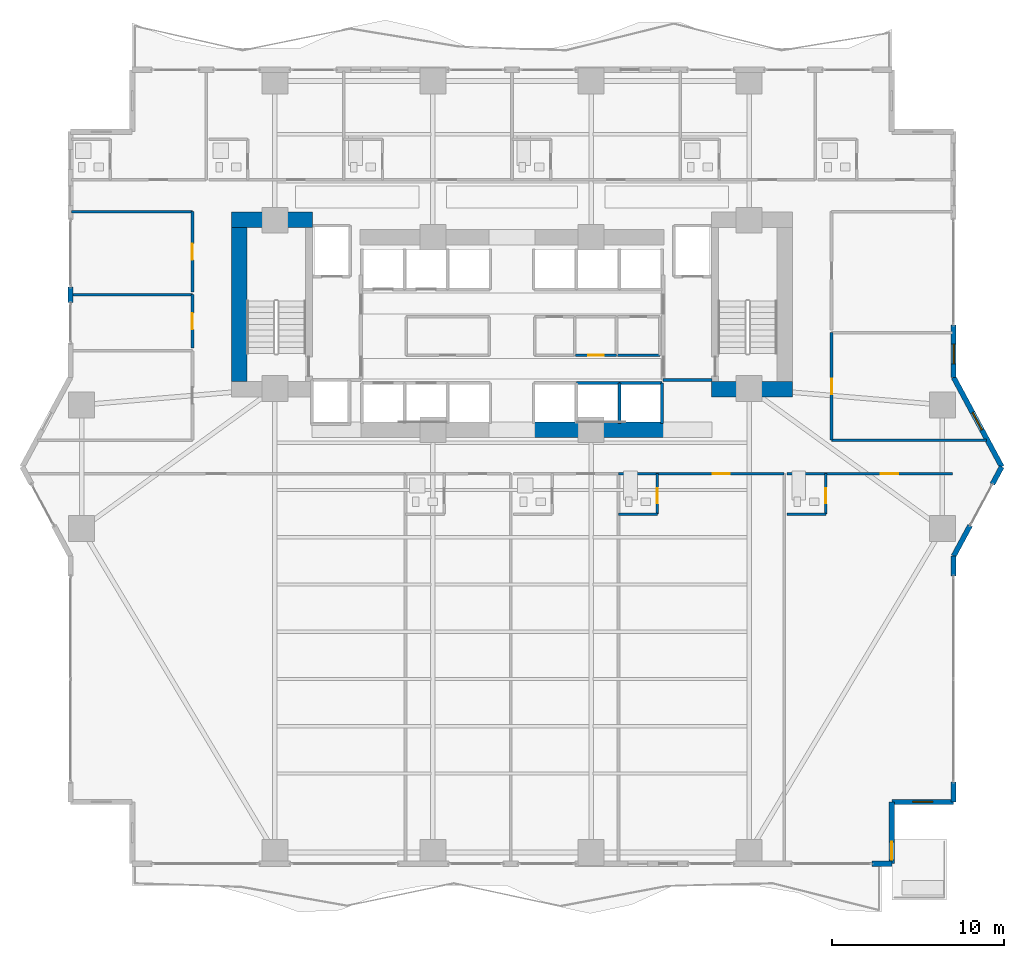
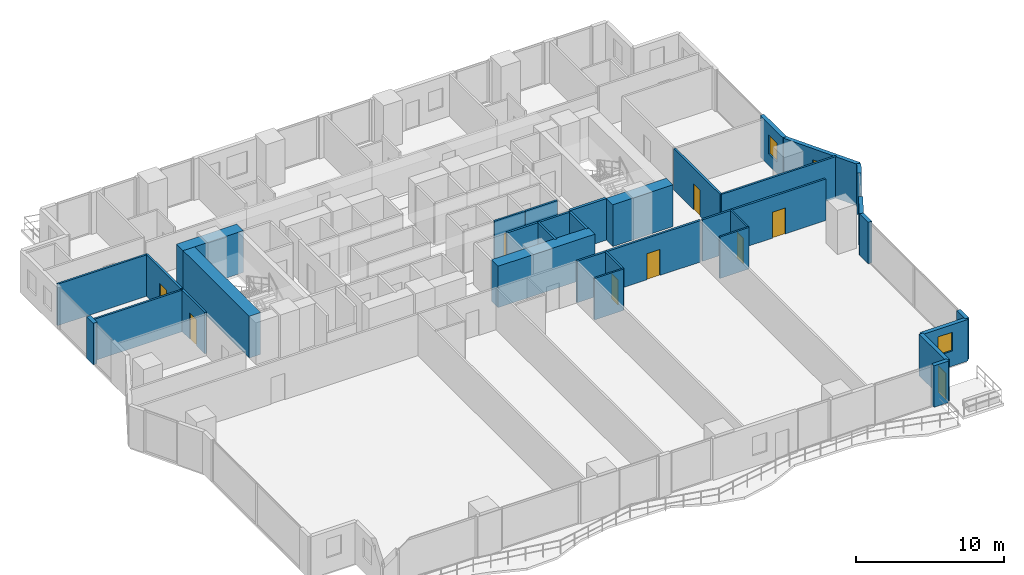
# One storey, part 20 of 30: 33 walls, 9 doors, 3 windows, 12 openings.
"""IFC4 building model written with IfcOpenShell, lengths in metres."""

from ifc_helpers import new_model, si_unit, direction, frame, frame_2d, origin, place, context, subcontext, project, spatial, rectangle, extrude, material, layer, layer_set, type_object, element, fill, save


model = new_model("IFC4")

# Units and contexts
model_context = context("Model", 3, precision=1e-05, world=origin(), true_north=direction((0.0, 1.0)))
body_context = subcontext(model_context, "Body", "Model", "MODEL_VIEW")
ifc_project = project(units=[si_unit("LENGTHUNIT", "METRE"), si_unit("AREAUNIT", "SQUARE_METRE"), si_unit("VOLUMEUNIT", "CUBIC_METRE"), si_unit("PLANEANGLEUNIT", "RADIAN"), si_unit("MASSUNIT", "GRAM", prefix="KILO")], contexts=[model_context])

# Site, building, storey
site_placement = place(None, origin())
site = spatial("IfcSite", under=ifc_project, at=site_placement, CompositionType="ELEMENT")
building_placement = place(site_placement, origin())
building = spatial("IfcBuilding", under=site, at=building_placement, Name="Zuhayl Quay Hotel", CompositionType="ELEMENT")
storey_placement = place(building_placement, frame((0.0, 0.0, 82.35009765625)))
storey = spatial("IfcBuildingStorey", under=building, at=storey_placement, Name="L20", CompositionType="ELEMENT", Elevation=82.35009765625)

# Walls
ifc_material_1 = material(Name="Concrete C70/85", Category="concrete")
ifc_layer_1 = layer(ifc_material_1, 0.89990234375, Name="Concrete C70/85", Category="concrete")
ifc_layer_set_1 = layer_set([ifc_layer_1], Name="Concrete C70/85")
wall_type_1 = type_object("IfcWallType", Name="WL_CORE_900", PredefinedType="SHEAR", material=ifc_layer_set_1)
wall_1_placement = place(storey_placement, frame((-16.31005859375, 14.3798828125, 0.0), z_axis=(0.0, 0.0, 1.0), x_axis=(1.0, 0.0, 0.0)))
element("IfcWall", 1, at=wall_1_placement, inside=storey, type_object=wall_type_1, Name="L20 Core Shear Wall CW_NW", PredefinedType="SHEAR", context=body_context, shape_type="SweptSolid", body=[
    extrude(rectangle(XDim=4.7099609375, YDim=0.89990234375, at=frame_2d((2.35498046875, 0.0))), origin(), (0.0, 0.0, 1.0), 3.4599609375),
])
wall_2_placement = place(storey_placement, frame((-15.860107421875, 4.969970703125, 0.0), z_axis=(0.0, 0.0, 1.0), x_axis=(0.0, 1.0, 0.0)))
element("IfcWall", 2, at=wall_2_placement, inside=storey, type_object=wall_type_1, Name="L20 Core Shear Wall CW_W", PredefinedType="SHEAR", context=body_context, shape_type="SweptSolid", body=[
    extrude(rectangle(XDim=8.9599609375, YDim=0.89990234375, at=frame_2d((4.47998046875, 0.0))), origin(), (0.0, 0.0, 1.0), 3.4599609375),
])
wall_3_placement = place(storey_placement, frame((11.60009765625, 4.52001953125, 0.0), z_axis=(0.0, 0.0, 1.0), x_axis=(1.0, 0.0, 0.0)))
element("IfcWall", 3, at=wall_3_placement, inside=storey, type_object=wall_type_1, Name="L20 Core Shear Wall CW_SE", PredefinedType="SHEAR", context=body_context, shape_type="SweptSolid", body=[
    extrude(rectangle(XDim=4.7099609375, YDim=0.89990234375, at=frame_2d((2.35498046875, 0.0))), origin(), (0.0, 0.0, 1.0), 3.4599609375),
])
wall_4_placement = place(storey_placement, frame((1.25, 2.14990234375, 0.0), z_axis=(0.0, 0.0, 1.0), x_axis=(1.0, 0.0, 0.0)))
element("IfcWall", 4, at=wall_4_placement, inside=storey, type_object=wall_type_1, Name="L20 Core Shear Wall CW_SC_E", PredefinedType="SHEAR", context=body_context, shape_type="SweptSolid", body=[
    extrude(rectangle(XDim=7.60009765625, YDim=0.89990234375, at=frame_2d((3.800048828125, 0.0))), origin(), (0.0, 0.0, 1.0), 3.429931640625),
])
ifc_material_2 = material(Name="Precast concrete C45/55", Category="concrete")
ifc_layer_2 = layer(ifc_material_2, 0.300048828125, Name="Precast concrete C45/55", Category="concrete")
ifc_layer_set_2 = layer_set([ifc_layer_2], Name="Precast concrete C45/55")
wall_type_2 = type_object("IfcWallType", Name="WL_EXT_300", PredefinedType="STANDARD", material=ifc_layer_set_2)
wall_5_placement = place(storey_placement, frame((-25.699951171875, 9.570068359375, 0.0), z_axis=(0.0, 0.0, 1.0), x_axis=(0.0, 1.0, 0.0)))
element("IfcWall", 5, at=wall_5_placement, inside=storey, type_object=wall_type_2, Name="L20 Exterior Precast Wall ENV_L20_E05_EW2", PredefinedType="STANDARD", context=body_context, shape_type="SweptSolid", body=[
    extrude(rectangle(XDim=0.89990234375, YDim=0.300048828125, at=frame_2d((0.449951171875, 0.0))), origin(), (0.0, 0.0, 1.0), 3.429931640625),
])

# Wall, opening, window
wall_6_placement = place(storey_placement, frame((25.699951171875, 8.25, 0.0), z_axis=(0.0, 0.0, 1.0), x_axis=(0.0, -1.0, 0.0)))
wall_6 = element("IfcWall", 6, at=wall_6_placement, inside=storey, type_object=wall_type_2, Name="L20 Exterior Precast Wall ENV_L20_E11_EW2", PredefinedType="STANDARD", context=body_context, shape_type="SweptSolid", body=[
    extrude(rectangle(XDim=3.050048828125, YDim=0.300048828125, at=frame_2d((1.52490234375, 0.0))), origin(), (0.0, 0.0, 1.0), 3.429931640625),
])
opening_1_placement = place(wall_6_placement, frame((1.114990234375, 0.0, 0.949951171875)))
opening_1 = element("IfcOpeningElement", 7, at=opening_1_placement, cuts=wall_6, Name="Opening W01N", PredefinedType="OPENING", context=body_context, shape_type="SweptSolid", body=[
    extrude(rectangle(XDim=1.14990234375, YDim=1.550048828125, at=frame_2d((0.574951171875, 0.77490234375))), frame((0.0, 0.159912109375, 0.0), z_axis=(0.0, -1.0, 0.0), x_axis=(1.0, 0.0, 0.0)), (0.0, 0.0, 1.0), 0.320068359375),
])
ifc_material_3 = material(Name="Dark Ceramic-Fritted Solar Glass", Category="glass")
window_type = type_object("IfcWindowType", Name="WN_NOTCH_1350", PartitioningType="SINGLE_PANEL", PredefinedType="WINDOW", material=ifc_material_3)
window_1_placement = place(opening_1_placement, origin())
window_1 = element("IfcWindow", 8, at=window_1_placement, inside=storey, type_object=window_type, Name="L20 Operable Facade Window 2-1", OverallHeight=1.550048828125, OverallWidth=1.14990234375, PartitioningType="SINGLE_PANEL", PredefinedType="WINDOW", context=body_context, shape_type="SweptSolid", body=[
    extrude(rectangle(XDim=1.14990234375, YDim=1.550048828125, at=frame_2d((0.574951171875, 0.77490234375))), frame((0.0, 0.030029296875, 0.0), z_axis=(0.0, -1.0, 0.0), x_axis=(1.0, 0.0, 0.0)), (0.0, 0.0, 1.0), 0.06005859375),
])
fill(opening_1, window_1)

wall_7_placement = place(storey_placement, frame((25.699951171875, 5.199951171875, 0.0), z_axis=(0.0, 0.0, 1.0), x_axis=(0.474109683532, -0.880465790352, 0.0)))
wall_7 = element("IfcWall", 9, at=wall_7_placement, inside=storey, type_object=wall_type_2, Name="L20 Exterior Precast Wall ENV_L20_E12_EW1", PredefinedType="STANDARD", context=body_context, shape_type="SweptSolid", body=[
    extrude(rectangle(XDim=5.906005859375, YDim=0.300048828125, at=frame_2d((2.953125, 0.0))), origin(), (0.0, 0.0, 1.0), 3.429931640625),
])
opening_2_placement = place(wall_7_placement, frame((2.32373046875, 0.0, 0.949951171875)))
opening_2 = element("IfcOpeningElement", 10, at=opening_2_placement, cuts=wall_7, Name="Opening W01N", PredefinedType="OPENING", context=body_context, shape_type="SweptSolid", body=[
    extrude(rectangle(XDim=1.14990234375, YDim=1.550048828125, at=frame_2d((0.574951171875, 0.77490234375))), frame((0.0, 0.159912109375, 0.0), z_axis=(0.0, -1.0, 0.0), x_axis=(1.0, 0.0, 0.0)), (0.0, 0.0, 1.0), 0.320068359375),
])
window_2_placement = place(opening_2_placement, origin())
window_2 = element("IfcWindow", 11, at=window_2_placement, inside=storey, type_object=window_type, Name="L20 Operable Facade Window 1-1", OverallHeight=1.550048828125, OverallWidth=1.14990234375, PartitioningType="SINGLE_PANEL", PredefinedType="WINDOW", context=body_context, shape_type="SweptSolid", body=[
    extrude(rectangle(XDim=1.14990234375, YDim=1.550048828125, at=frame_2d((0.574951171875, 0.77490234375))), frame((0.0, 0.030029296875, 0.0), z_axis=(0.0, -1.0, 0.0), x_axis=(1.0, 0.0, 0.0)), (0.0, 0.0, 1.0), 0.06005859375),
])
fill(opening_2, window_2)

# Walls
wall_8_placement = place(storey_placement, frame((28.5, 0.0, 0.0), z_axis=(0.0, 0.0, 1.0), x_axis=(-0.474099823035, -0.880471099922, 0.0)))
element("IfcWall", 12, at=wall_8_placement, inside=storey, type_object=wall_type_2, Name="L20 Exterior Precast Wall ENV_L20_E13_EW1", PredefinedType="STANDARD", context=body_context, shape_type="SweptSolid", body=[
    extrude(rectangle(XDim=1.14990234375, YDim=0.300048828125, at=frame_2d((0.574951171875, 0.0))), origin(), (0.0, 0.0, 1.0), 3.429931640625),
])
wall_9_placement = place(storey_placement, frame((26.657958984375, -3.4208984375, 0.0), z_axis=(0.0, 0.0, 1.0), x_axis=(-0.474121438562, -0.88045946045, 0.0)))
element("IfcWall", 13, at=wall_9_placement, inside=storey, type_object=wall_type_2, Name="L20 Exterior Precast Wall ENV_L20_E13_EW2", PredefinedType="STANDARD", context=body_context, shape_type="SweptSolid", body=[
    extrude(rectangle(XDim=2.0205078125, YDim=0.300048828125, at=frame_2d((1.01025390625, 0.0))), origin(), (0.0, 0.0, 1.0), 3.429931640625),
])
wall_10_placement = place(storey_placement, frame((25.699951171875, -5.199951171875, 0.0), z_axis=(0.0, 0.0, 1.0), x_axis=(0.0, -1.0, 0.0)))
element("IfcWall", 14, at=wall_10_placement, inside=storey, type_object=wall_type_2, Name="L20 Exterior Precast Wall ENV_L20_E14_EW1", PredefinedType="STANDARD", context=body_context, shape_type="SweptSolid", body=[
    extrude(rectangle(XDim=1.150146484375, YDim=0.300048828125, at=frame_2d((0.5751953125, 0.0))), origin(), (0.0, 0.0, 1.0), 3.429931640625),
])
wall_11_placement = place(storey_placement, frame((25.699951171875, -18.35009765625, 0.0), z_axis=(0.0, 0.0, 1.0), x_axis=(0.0, -1.0, 0.0)))
element("IfcWall", 15, at=wall_11_placement, inside=storey, type_object=wall_type_2, Name="L20 Exterior Precast Wall ENV_L20_E14_EW2", PredefinedType="STANDARD", context=body_context, shape_type="SweptSolid", body=[
    extrude(rectangle(XDim=1.14990234375, YDim=0.300048828125, at=frame_2d((0.574951171875, 0.0))), origin(), (0.0, 0.0, 1.0), 3.429931640625),
])

# Wall, opening, window
wall_12_placement = place(storey_placement, frame((25.699951171875, -19.5, 0.0), z_axis=(0.0, 0.0, 1.0), x_axis=(-1.0, 0.0, 0.0)))
wall_12 = element("IfcWall", 16, at=wall_12_placement, inside=storey, type_object=wall_type_2, Name="L20 Exterior Precast Wall ENV_L20_EW15", PredefinedType="STANDARD", context=body_context, shape_type="SweptSolid", body=[
    extrude(rectangle(XDim=3.599853515625, YDim=0.300048828125, at=frame_2d((1.7998046875, 0.0))), origin(), (0.0, 0.0, 1.0), 3.429931640625),
])
opening_3_placement = place(wall_12_placement, frame((1.22509765625, 0.0, 1.25)))
opening_3 = element("IfcOpeningElement", 17, at=opening_3_placement, cuts=wall_12, Name="Opening W01N", PredefinedType="OPENING", context=body_context, shape_type="SweptSolid", body=[
    extrude(rectangle(XDim=1.14990234375, YDim=1.550048828125, at=frame_2d((0.574951171875, 0.77490234375))), frame((0.0, 0.159912109375, 0.0), z_axis=(0.0, -1.0, 0.0), x_axis=(1.0, 0.0, 0.0)), (0.0, 0.0, 1.0), 0.320068359375),
])
window_3_placement = place(opening_3_placement, origin())
window_3 = element("IfcWindow", 18, at=window_3_placement, inside=storey, type_object=window_type, Name="L20 Corner Notch Window 15", OverallHeight=1.550048828125, OverallWidth=1.14990234375, PartitioningType="SINGLE_PANEL", PredefinedType="WINDOW", context=body_context, shape_type="SweptSolid", body=[
    extrude(rectangle(XDim=1.14990234375, YDim=1.550048828125, at=frame_2d((0.574951171875, 0.77490234375))), frame((0.0, 0.030029296875, 0.0), z_axis=(0.0, -1.0, 0.0), x_axis=(1.0, 0.0, 0.0)), (0.0, 0.0, 1.0), 0.06005859375),
])
fill(opening_3, window_3)

# Wall, opening, door
wall_13_placement = place(storey_placement, frame((22.10009765625, -19.5, 0.0), z_axis=(0.0, 0.0, 1.0), x_axis=(0.0, -1.0, 0.0)))
wall_13 = element("IfcWall", 19, at=wall_13_placement, inside=storey, type_object=wall_type_2, Name="L20 Exterior Precast Wall ENV_L20_SP_SE", PredefinedType="STANDARD", context=body_context, shape_type="SweptSolid", body=[
    extrude(rectangle(XDim=3.60009765625, YDim=0.300048828125, at=frame_2d((1.800048828125, 0.0))), origin(), (0.0, 0.0, 1.0), 3.429931640625),
])
opening_4_placement = place(wall_13_placement, frame((2.330078125, 0.0, 0.0)))
opening_4 = element("IfcOpeningElement", 20, at=opening_4_placement, cuts=wall_13, Name="Opening DG1", PredefinedType="OPENING", context=body_context, shape_type="SweptSolid", body=[
    extrude(rectangle(XDim=1.050048828125, YDim=2.199951171875, at=frame_2d((0.52490234375, 1.10009765625))), frame((0.0, 0.159912109375, 0.0), z_axis=(0.0, -1.0, 0.0), x_axis=(1.0, 0.0, 0.0)), (0.0, 0.0, 1.0), 0.320068359375),
])
ifc_material_4 = material(Name="Anodised Aluminium and Dark Solar Glass", Category="aluminium")
door_type_1 = type_object("IfcDoorType", Name="DR_EXT_TERR_1050", OperationType="NOTDEFINED", PredefinedType="DOOR", material=ifc_material_4)
door_1_placement = place(opening_4_placement, origin())
door_1 = element("IfcDoor", 21, at=door_1_placement, inside=storey, type_object=door_type_1, Name="L20 Spiral Sky-Terrace SE Access Door", OperationType="SINGLE_SWING_LEFT", OverallHeight=2.199951171875, OverallWidth=1.050048828125, PredefinedType="DOOR", context=body_context, shape_type="SweptSolid", body=[
    extrude(rectangle(XDim=1.050048828125, YDim=2.199951171875, at=frame_2d((0.52490234375, 1.10009765625))), frame((0.0, 0.02490234375, 0.0), z_axis=(0.0, -1.0, 0.0), x_axis=(1.0, 0.0, 0.0)), (0.0, 0.0, 1.0), 0.050048828125),
])
fill(opening_4, door_1)

# Wall
wall_14_placement = place(storey_placement, frame((22.10009765625, -23.10009765625, 0.0), z_axis=(0.0, 0.0, 1.0), x_axis=(-1.0, 0.0, 0.0)))
element("IfcWall", 22, at=wall_14_placement, inside=storey, type_object=wall_type_2, Name="L20 Exterior Precast Wall ENV_L20_S_EW1", PredefinedType="STANDARD", context=body_context, shape_type="SweptSolid", body=[
    extrude(rectangle(XDim=1.150146484375, YDim=0.300048828125, at=frame_2d((0.5751953125, 0.0))), origin(), (0.0, 0.0, 1.0), 3.429931640625),
])

# Wall, opening, door
ifc_material_5 = material(Name="Acoustic Gypsum Partition STC-58")
ifc_layer_3 = layer(ifc_material_5, 0.14990234375, Name="Acoustic Gypsum Partition STC-58")
ifc_layer_set_3 = layer_set([ifc_layer_3], Name="Acoustic Gypsum Partition STC-58")
wall_type_3 = type_object("IfcWallType", Name="WL_PART_150", PredefinedType="PARTITIONING", material=ifc_layer_set_3)
wall_15_placement = place(storey_placement, frame((3.699951171875, 6.47998046875, 0.0), z_axis=(0.0, 0.0, 1.0), x_axis=(1.0, 0.0, 0.0)))
wall_15 = element("IfcWall", 23, at=wall_15_placement, inside=storey, type_object=wall_type_3, Name="L20 Partition IW_L20_CORE_E2_S", PredefinedType="PARTITIONING", context=body_context, shape_type="SweptSolid", body=[
    extrude(rectangle(XDim=2.380126953125, YDim=0.14990234375, at=frame_2d((1.18994140625, 0.0))), origin(), (0.0, 0.0, 1.0), 3.429931640625),
])
opening_5_placement = place(wall_15_placement, frame((0.739990234375, 0.0, 0.0)))
opening_5 = element("IfcOpeningElement", 24, at=opening_5_placement, cuts=wall_15, Name="Opening D06", PredefinedType="OPENING", context=body_context, shape_type="SweptSolid", body=[
    extrude(rectangle(XDim=0.89990234375, YDim=2.14990234375, at=frame_2d((0.449951171875, 1.074951171875))), frame((0.0, 0.0849609375, 0.0), z_axis=(0.0, -1.0, 0.0), x_axis=(1.0, 0.0, 0.0)), (0.0, 0.0, 1.0), 0.169921875),
])
ifc_material_6 = material(Name="Steel ASTM A992 Grade 50", Category="steel")
door_type_2 = type_object("IfcDoorType", Name="DR_INT_900", OperationType="NOTDEFINED", PredefinedType="DOOR", material=ifc_material_6)
door_2_placement = place(opening_5_placement, origin())
door_2 = element("IfcDoor", 25, at=door_2_placement, inside=storey, type_object=door_type_2, Name="L20 Data Closet Door", OperationType="SINGLE_SWING_LEFT", OverallHeight=2.14990234375, OverallWidth=0.89990234375, PredefinedType="DOOR", context=body_context, shape_type="SweptSolid", body=[
    extrude(rectangle(XDim=0.89990234375, YDim=2.14990234375, at=frame_2d((0.449951171875, 1.074951171875))), frame((0.0, 0.02490234375, 0.0), z_axis=(0.0, -1.0, 0.0), x_axis=(1.0, 0.0, 0.0)), (0.0, 0.0, 1.0), 0.050048828125),
])
fill(opening_5, door_2)

# Walls
wall_16_placement = place(storey_placement, frame((6.139892578125, 6.47998046875, 0.0), z_axis=(0.0, 0.0, 1.0), x_axis=(1.0, 0.0, 0.0)))
element("IfcWall", 26, at=wall_16_placement, inside=storey, type_object=wall_type_3, Name="L20 Partition IW_L20_CORE_E3_S", PredefinedType="PARTITIONING", context=body_context, shape_type="SweptSolid", body=[
    extrude(rectangle(XDim=2.47021484375, YDim=0.14990234375, at=frame_2d((1.235107421875, 0.0))), origin(), (0.0, 0.0, 1.0), 3.429931640625),
])
wall_17_placement = place(storey_placement, frame((18.60009765625, 1.550048828125, 0.0), z_axis=(0.0, 0.0, 1.0), x_axis=(1.0, 0.0, 0.0)))
element("IfcWall", 27, at=wall_17_placement, inside=storey, type_object=wall_type_3, Name="L20 Partition IW_L20_HK_MAIN_S", PredefinedType="PARTITIONING", context=body_context, shape_type="SweptSolid", body=[
    extrude(rectangle(XDim=9.00537109375, YDim=0.14990234375, at=frame_2d((4.502685546875, 0.0))), origin(), (0.0, 0.0, 1.0), 3.429931640625),
])
for number, where, z_axis, x_axis, name in (
    (28, (-25.639892578125, 10.02001953125, 0.0), (0.0, 0.0, 1.0), (1.0, 0.0, 0.0), "L20 Partition IW_L20_WPROW_2_N"),
    (29, (-25.639892578125, 14.85009765625, 0.0), (0.0, 0.0, 1.0), (1.0, 0.0, 0.0), "L20 Partition IW_L20_WPROW_3_N"),
):
    element("IfcWall", number, at=place(storey_placement, frame(where, z_axis=z_axis, x_axis=x_axis)), inside=storey, type_object=wall_type_3, Name=name, PredefinedType="PARTITIONING", context=body_context, shape_type="SweptSolid", body=[
        extrude(rectangle(XDim=7.039794921875, YDim=0.14990234375, at=frame_2d((3.52001953125, 0.0))), origin(), (0.0, 0.0, 1.0), 3.429931640625),
    ])

# Wall, opening, door
ifc_layer_4 = layer(ifc_material_5, 0.159912109375, Name="Acoustic Gypsum Partition STC-58")
ifc_layer_set_4 = layer_set([ifc_layer_4], Name="Acoustic Gypsum Partition STC-58")
wall_type_4 = type_object("IfcWallType", Name="WL_PART_CORR_160", PredefinedType="PARTITIONING", material=ifc_layer_set_4)
wall_18_placement = place(storey_placement, frame((6.199951171875, -0.39990234375, 0.0), z_axis=(0.0, 0.0, 1.0), x_axis=(1.0, 0.0, 0.0)))
wall_18 = element("IfcWall", 30, at=wall_18_placement, inside=storey, type_object=wall_type_4, Name="L20 Partition IW_L20_SU03A_COR", PredefinedType="PARTITIONING", context=body_context, shape_type="SweptSolid", body=[
    extrude(rectangle(XDim=9.64013671875, YDim=0.159912109375, at=frame_2d((4.820068359375, 0.0))), origin(), (0.0, 0.0, 1.0), 3.429931640625),
])
opening_6_placement = place(wall_18_placement, frame((5.469970703125, 0.0, 0.0)))
opening_6 = element("IfcOpeningElement", 31, at=opening_6_placement, cuts=wall_18, Name="Opening D03L", PredefinedType="OPENING", context=body_context, shape_type="SweptSolid", body=[
    extrude(rectangle(XDim=1.0, YDim=2.14990234375, at=frame_2d((0.5, 1.074951171875))), frame((0.0, 0.08984375, 0.0), z_axis=(0.0, -1.0, 0.0), x_axis=(1.0, 0.0, 0.0)), (0.0, 0.0, 1.0), 0.179931640625),
])
ifc_material_7 = material(Name="Solid Walnut Acoustic Fire Door")
door_type_3 = type_object("IfcDoorType", Name="DR_SUITE_1000", OperationType="NOTDEFINED", PredefinedType="DOOR", material=ifc_material_7)
door_3_placement = place(opening_6_placement, origin())
door_3 = element("IfcDoor", 32, at=door_3_placement, inside=storey, type_object=door_type_3, Name="L20 City-View Junior Suite L20-03A Entrance Door", OperationType="SINGLE_SWING_LEFT", OverallHeight=2.14990234375, OverallWidth=1.0, PredefinedType="DOOR", context=body_context, shape_type="SweptSolid", body=[
    extrude(rectangle(XDim=1.0, YDim=2.14990234375, at=frame_2d((0.5, 1.074951171875))), frame((0.0, 0.02490234375, 0.0), z_axis=(0.0, -1.0, 0.0), x_axis=(1.0, 0.0, 0.0)), (0.0, 0.0, 1.0), 0.050048828125),
])
fill(opening_6, door_3)

wall_19_placement = place(storey_placement, frame((16.0, -0.39990234375, 0.0), z_axis=(0.0, 0.0, 1.0), x_axis=(1.0, 0.0, 0.0)))
wall_19 = element("IfcWall", 33, at=wall_19_placement, inside=storey, type_object=wall_type_4, Name="L20 Partition IW_L20_SU03B_COR", PredefinedType="PARTITIONING", context=body_context, shape_type="SweptSolid", body=[
    extrude(rectangle(XDim=9.639892578125, YDim=0.159912109375, at=frame_2d((4.81982421875, 0.0))), origin(), (0.0, 0.0, 1.0), 3.429931640625),
])
opening_7_placement = place(wall_19_placement, frame((5.469970703125, 0.0, 0.0)))
opening_7 = element("IfcOpeningElement", 34, at=opening_7_placement, cuts=wall_19, Name="Opening D03L", PredefinedType="OPENING", context=body_context, shape_type="SweptSolid", body=[
    extrude(rectangle(XDim=1.0, YDim=2.14990234375, at=frame_2d((0.5, 1.074951171875))), frame((0.0, 0.08984375, 0.0), z_axis=(0.0, -1.0, 0.0), x_axis=(1.0, 0.0, 0.0)), (0.0, 0.0, 1.0), 0.179931640625),
])
door_4_placement = place(opening_7_placement, origin())
door_4 = element("IfcDoor", 35, at=door_4_placement, inside=storey, type_object=door_type_3, Name="L20 City-View Junior Suite L20-03B Entrance Door", OperationType="SINGLE_SWING_LEFT", OverallHeight=2.14990234375, OverallWidth=1.0, PredefinedType="DOOR", context=body_context, shape_type="SweptSolid", body=[
    extrude(rectangle(XDim=1.0, YDim=2.14990234375, at=frame_2d((0.5, 1.074951171875))), frame((0.0, 0.02490234375, 0.0), z_axis=(0.0, -1.0, 0.0), x_axis=(1.0, 0.0, 0.0)), (0.0, 0.0, 1.0), 0.050048828125),
])
fill(opening_7, door_4)

wall_20_placement = place(storey_placement, frame((18.60009765625, 1.550048828125, 0.0), z_axis=(0.0, 0.0, 1.0), x_axis=(0.0, 1.0, 0.0)))
wall_20 = element("IfcWall", 36, at=wall_20_placement, inside=storey, type_object=wall_type_4, Name="L20 Partition IW_L20_HK_MAIN_W", PredefinedType="PARTITIONING", context=body_context, shape_type="SweptSolid", body=[
    extrude(rectangle(XDim=6.25, YDim=0.159912109375, at=frame_2d((3.125, 0.0))), origin(), (0.0, 0.0, 1.0), 3.429931640625),
])
opening_8_placement = place(wall_20_placement, frame((2.6650390625, 0.0, 0.0)))
opening_8 = element("IfcOpeningElement", 37, at=opening_8_placement, cuts=wall_20, Name="Opening D05", PredefinedType="OPENING", context=body_context, shape_type="SweptSolid", body=[
    extrude(rectangle(XDim=0.919921875, YDim=2.1201171875, at=frame_2d((0.4599609375, 1.06005859375))), frame((0.0, 0.08984375, 0.0), z_axis=(0.0, -1.0, 0.0), x_axis=(1.0, 0.0, 0.0)), (0.0, 0.0, 1.0), 0.179931640625),
])
door_type_4 = type_object("IfcDoorType", Name="DR_INT_950", OperationType="NOTDEFINED", PredefinedType="DOOR", material=ifc_material_7)
door_5_placement = place(opening_8_placement, origin())
door_5 = element("IfcDoor", 38, at=door_5_placement, inside=storey, type_object=door_type_4, Name="L20 Housekeeping and Linen Room Door", OperationType="SINGLE_SWING_RIGHT", OverallHeight=2.1201171875, OverallWidth=0.919921875, PredefinedType="DOOR", context=body_context, shape_type="SweptSolid", body=[
    extrude(rectangle(XDim=0.919921875, YDim=2.1201171875, at=frame_2d((0.4599609375, 1.06005859375))), frame((0.0, 0.02490234375, 0.0), z_axis=(0.0, -1.0, 0.0), x_axis=(1.0, 0.0, 0.0)), (0.0, 0.0, 1.0), 0.050048828125),
])
fill(opening_8, door_5)

wall_21_placement = place(storey_placement, frame((-18.60009765625, 6.909912109375, 0.0), z_axis=(0.0, 0.0, 1.0), x_axis=(0.0, 1.0, 0.0)))
wall_21 = element("IfcWall", 39, at=wall_21_placement, inside=storey, type_object=wall_type_4, Name="L20 Partition IW_L20_WPROW_2_E", PredefinedType="PARTITIONING", context=body_context, shape_type="SweptSolid", body=[
    extrude(rectangle(XDim=3.110107421875, YDim=0.159912109375, at=frame_2d((1.55517578125, 0.0))), origin(), (0.0, 0.0, 1.0), 3.429931640625),
])
opening_9_placement = place(wall_21_placement, frame((1.080078125, 0.0, 0.0)))
opening_9 = element("IfcOpeningElement", 40, at=opening_9_placement, cuts=wall_21, Name="Opening D03", PredefinedType="OPENING", context=body_context, shape_type="SweptSolid", body=[
    extrude(rectangle(XDim=0.949951171875, YDim=2.14990234375, at=frame_2d((0.47509765625, 1.074951171875))), frame((0.0, 0.08984375, 0.0), z_axis=(0.0, -1.0, 0.0), x_axis=(1.0, 0.0, 0.0)), (0.0, 0.0, 1.0), 0.179931640625),
])
door_type_5 = type_object("IfcDoorType", Name="DR_SUITE_950", OperationType="NOTDEFINED", PredefinedType="DOOR", material=ifc_material_7)
door_6_placement = place(opening_9_placement, origin())
door_6 = element("IfcDoor", 41, at=door_6_placement, inside=storey, type_object=door_type_5, Name="L20 Sunset Tea Salon L20 Door", OperationType="SINGLE_SWING_LEFT", OverallHeight=2.14990234375, OverallWidth=0.949951171875, PredefinedType="DOOR", context=body_context, shape_type="SweptSolid", body=[
    extrude(rectangle(XDim=0.949951171875, YDim=2.14990234375, at=frame_2d((0.47509765625, 1.074951171875))), frame((0.0, 0.02490234375, 0.0), z_axis=(0.0, -1.0, 0.0), x_axis=(1.0, 0.0, 0.0)), (0.0, 0.0, 1.0), 0.050048828125),
])
fill(opening_9, door_6)

wall_22_placement = place(storey_placement, frame((-18.60009765625, 10.179931640625, 0.0), z_axis=(0.0, 0.0, 1.0), x_axis=(0.0, 1.0, 0.0)))
wall_22 = element("IfcWall", 42, at=wall_22_placement, inside=storey, type_object=wall_type_4, Name="L20 Partition IW_L20_WPROW_3_E", PredefinedType="PARTITIONING", context=body_context, shape_type="SweptSolid", body=[
    extrude(rectangle(XDim=4.670166015625, YDim=0.159912109375, at=frame_2d((2.3349609375, 0.0))), origin(), (0.0, 0.0, 1.0), 3.429931640625),
])
opening_10_placement = place(wall_22_placement, frame((1.860107421875, 0.0, 0.0)))
opening_10 = element("IfcOpeningElement", 43, at=opening_10_placement, cuts=wall_22, Name="Opening D03", PredefinedType="OPENING", context=body_context, shape_type="SweptSolid", body=[
    extrude(rectangle(XDim=0.949951171875, YDim=2.14990234375, at=frame_2d((0.47509765625, 1.074951171875))), frame((0.0, 0.08984375, 0.0), z_axis=(0.0, -1.0, 0.0), x_axis=(1.0, 0.0, 0.0)), (0.0, 0.0, 1.0), 0.179931640625),
])
door_7_placement = place(opening_10_placement, origin())
door_7 = element("IfcDoor", 44, at=door_7_placement, inside=storey, type_object=door_type_5, Name="L20 West Horizon Salon L20 Door", OperationType="SINGLE_SWING_RIGHT", OverallHeight=2.14990234375, OverallWidth=0.949951171875, PredefinedType="DOOR", context=body_context, shape_type="SweptSolid", body=[
    extrude(rectangle(XDim=0.949951171875, YDim=2.14990234375, at=frame_2d((0.47509765625, 1.074951171875))), frame((0.0, 0.02490234375, 0.0), z_axis=(0.0, -1.0, 0.0), x_axis=(1.0, 0.0, 0.0)), (0.0, 0.0, 1.0), 0.050048828125),
])
fill(opening_10, door_7)

ifc_material_8 = material(Name="Moisture-Resistant Sanitarychase Gypsum")
ifc_layer_5 = layer(ifc_material_8, 0.135009765625, Name="Moisture-Resistant Sanitarychase Gypsum")
ifc_layer_set_5 = layer_set([ifc_layer_5], Name="Moisture-Resistant Sanitarychase Gypsum")
wall_type_5 = type_object("IfcWallType", Name="WL_PART_PLUMB_150", PredefinedType="PLUMBINGWALL", material=ifc_layer_set_5)
wall_23_placement = place(storey_placement, frame((8.4599609375, -2.760009765625, 0.0), z_axis=(0.0, 0.0, 1.0), x_axis=(0.0, 1.0, 0.0)))
wall_23 = element("IfcWall", 45, at=wall_23_placement, inside=storey, type_object=wall_type_5, Name="L20 Partition IW_L20_SU03A_BE", PredefinedType="PLUMBINGWALL", context=body_context, shape_type="SweptSolid", body=[
    extrude(rectangle(XDim=2.360107421875, YDim=0.135009765625, at=frame_2d((1.18017578125, 0.0))), origin(), (0.0, 0.0, 1.0), 3.429931640625),
])
opening_11_placement = place(wall_23_placement, frame((0.64990234375, 0.0, 0.0)))
opening_11 = element("IfcOpeningElement", 46, at=opening_11_placement, cuts=wall_23, Name="Opening D04", PredefinedType="OPENING", context=body_context, shape_type="SweptSolid", body=[
    extrude(rectangle(XDim=0.85009765625, YDim=2.10009765625, at=frame_2d((0.425048828125, 1.050048828125))), frame((0.0, 0.077392578125, 0.0), z_axis=(0.0, -1.0, 0.0), x_axis=(1.0, 0.0, 0.0)), (0.0, 0.0, 1.0), 0.155029296875),
])
ifc_material_9 = material(Name="Moisture-Resistant Walnut Veneer")
door_type_6 = type_object("IfcDoorType", Name="DR_BATH_850", OperationType="NOTDEFINED", PredefinedType="DOOR", material=ifc_material_9)
door_8_placement = place(opening_11_placement, origin())
door_8 = element("IfcDoor", 47, at=door_8_placement, inside=storey, type_object=door_type_6, Name="L20 City-View Junior Suite L20-03A En-Suite Door", OperationType="SINGLE_SWING_RIGHT", OverallHeight=2.10009765625, OverallWidth=0.85009765625, PredefinedType="DOOR", context=body_context, shape_type="SweptSolid", body=[
    extrude(rectangle(XDim=0.85009765625, YDim=2.10009765625, at=frame_2d((0.425048828125, 1.050048828125))), frame((0.0, 0.02490234375, 0.0), z_axis=(0.0, -1.0, 0.0), x_axis=(1.0, 0.0, 0.0)), (0.0, 0.0, 1.0), 0.050048828125),
])
fill(opening_11, door_8)

wall_24_placement = place(storey_placement, frame((18.260009765625, -2.760009765625, 0.0), z_axis=(0.0, 0.0, 1.0), x_axis=(0.0, 1.0, 0.0)))
wall_24 = element("IfcWall", 48, at=wall_24_placement, inside=storey, type_object=wall_type_5, Name="L20 Partition IW_L20_SU03B_BE", PredefinedType="PLUMBINGWALL", context=body_context, shape_type="SweptSolid", body=[
    extrude(rectangle(XDim=2.360107421875, YDim=0.135009765625, at=frame_2d((1.18017578125, 0.0))), origin(), (0.0, 0.0, 1.0), 3.429931640625),
])
opening_12_placement = place(wall_24_placement, frame((0.64990234375, 0.0, 0.0)))
opening_12 = element("IfcOpeningElement", 49, at=opening_12_placement, cuts=wall_24, Name="Opening D04", PredefinedType="OPENING", context=body_context, shape_type="SweptSolid", body=[
    extrude(rectangle(XDim=0.85009765625, YDim=2.10009765625, at=frame_2d((0.425048828125, 1.050048828125))), frame((0.0, 0.077392578125, 0.0), z_axis=(0.0, -1.0, 0.0), x_axis=(1.0, 0.0, 0.0)), (0.0, 0.0, 1.0), 0.155029296875),
])
door_9_placement = place(opening_12_placement, origin())
door_9 = element("IfcDoor", 50, at=door_9_placement, inside=storey, type_object=door_type_6, Name="L20 City-View Junior Suite L20-03B En-Suite Door", OperationType="SINGLE_SWING_RIGHT", OverallHeight=2.10009765625, OverallWidth=0.85009765625, PredefinedType="DOOR", context=body_context, shape_type="SweptSolid", body=[
    extrude(rectangle(XDim=0.85009765625, YDim=2.10009765625, at=frame_2d((0.425048828125, 1.050048828125))), frame((0.0, 0.02490234375, 0.0), z_axis=(0.0, -1.0, 0.0), x_axis=(1.0, 0.0, 0.0)), (0.0, 0.0, 1.0), 0.050048828125),
])
fill(opening_12, door_9)

# Walls
for number, where, z_axis, x_axis, name in (
    (51, (6.199951171875, -2.760009765625, 0.0), (0.0, 0.0, 1.0), (1.0, 0.0, 0.0), "L20 Partition IW_L20_SU03A_BS"),
    (52, (16.0, -2.760009765625, 0.0), (0.0, 0.0, 1.0), (1.0, 0.0, 0.0), "L20 Partition IW_L20_SU03B_BS"),
):
    element("IfcWall", number, at=place(storey_placement, frame(where, z_axis=z_axis, x_axis=x_axis)), inside=storey, type_object=wall_type_5, Name=name, PredefinedType="PLUMBINGWALL", context=body_context, shape_type="SweptSolid", body=[
        extrude(rectangle(XDim=2.260009765625, YDim=0.135009765625, at=frame_2d((1.1298828125, 0.0))), origin(), (0.0, 0.0, 1.0), 3.429931640625),
    ])
ifc_material_10 = material(Name="Gypsum Fireboard Assembly EI-90")
ifc_layer_6 = layer(ifc_material_10, 0.1650390625, Name="Gypsum Fireboard Assembly EI-90")
ifc_layer_set_6 = layer_set([ifc_layer_6], Name="Gypsum Fireboard Assembly EI-90")
wall_type_6 = type_object("IfcWallType", Name="WL_PART_SHAFT_160", PredefinedType="PARTITIONING", material=ifc_layer_set_6)
wall_25_placement = place(storey_placement, frame((3.75, 4.8798828125, 0.0), z_axis=(0.0, 0.0, 1.0), x_axis=(1.0, 0.0, 0.0)))
element("IfcWall", 53, at=wall_25_placement, inside=storey, type_object=wall_type_6, Name="L20 Partition IW_L20_SH_HP1_F", PredefinedType="PARTITIONING", context=body_context, shape_type="SweptSolid", body=[
    extrude(rectangle(XDim=2.5, YDim=0.1650390625, at=frame_2d((1.25, 0.0))), origin(), (0.0, 0.0, 1.0), 3.429931640625),
])
wall_26_placement = place(storey_placement, frame((6.25, 2.52001953125, 0.0), z_axis=(0.0, 0.0, 1.0), x_axis=(0.0, 1.0, 0.0)))
element("IfcWall", 54, at=wall_26_placement, inside=storey, type_object=wall_type_6, Name="L20 Partition IW_L20_SH_HP1_E", PredefinedType="PARTITIONING", context=body_context, shape_type="SweptSolid", body=[
    extrude(rectangle(XDim=2.35986328125, YDim=0.1650390625, at=frame_2d((1.179931640625, 0.0))), origin(), (0.0, 0.0, 1.0), 3.429931640625),
])
wall_27_placement = place(storey_placement, frame((6.25, 4.8798828125, 0.0), z_axis=(0.0, 0.0, 1.0), x_axis=(1.0, 0.0, 0.0)))
element("IfcWall", 55, at=wall_27_placement, inside=storey, type_object=wall_type_6, Name="L20 Partition IW_L20_SH_HP2_F", PredefinedType="PARTITIONING", context=body_context, shape_type="SweptSolid", body=[
    extrude(rectangle(XDim=2.47998046875, YDim=0.1650390625, at=frame_2d((1.239990234375, 0.0))), origin(), (0.0, 0.0, 1.0), 3.429931640625),
])
wall_28_placement = place(storey_placement, frame((8.72998046875, 2.52001953125, 0.0), z_axis=(0.0, 0.0, 1.0), x_axis=(0.0, 1.0, 0.0)))
element("IfcWall", 56, at=wall_28_placement, inside=storey, type_object=wall_type_6, Name="L20 Partition IW_L20_SH_HP2_E", PredefinedType="PARTITIONING", context=body_context, shape_type="SweptSolid", body=[
    extrude(rectangle(XDim=2.35986328125, YDim=0.1650390625, at=frame_2d((1.179931640625, 0.0))), origin(), (0.0, 0.0, 1.0), 3.429931640625),
])
ifc_material_11 = material(Name="Gypsum Fireboard Assembly EI-120")
ifc_layer_7 = layer(ifc_material_11, 0.199951171875, Name="Gypsum Fireboard Assembly EI-120")
ifc_layer_set_7 = layer_set([ifc_layer_7], Name="Gypsum Fireboard Assembly EI-120")
wall_type_7 = type_object("IfcWallType", Name="WL_PART_SHAFT_200", PredefinedType="PARTITIONING", material=ifc_layer_set_7)
wall_29_placement = place(storey_placement, frame((8.800048828125, 5.050048828125, 0.0), z_axis=(0.0, 0.0, 1.0), x_axis=(1.0, 0.0, 0.0)))
element("IfcWall", 57, at=wall_29_placement, inside=storey, type_object=wall_type_7, Name="L20 Partition IW_L20_FSAE_E_S", PredefinedType="PARTITIONING", context=body_context, shape_type="SweptSolid", body=[
    extrude(rectangle(XDim=2.849853515625, YDim=0.199951171875, at=frame_2d((1.4248046875, 0.0))), origin(), (0.0, 0.0, 1.0), 3.429931640625),
])

save(model, "model.ifc")
